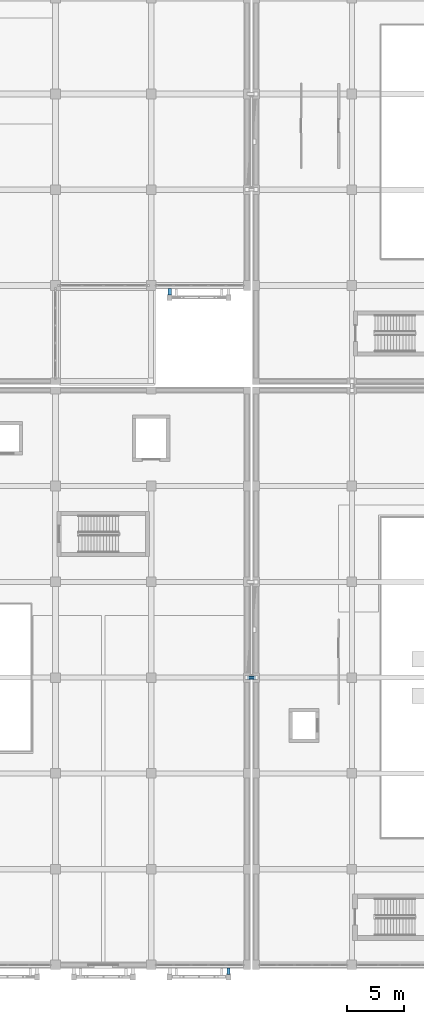
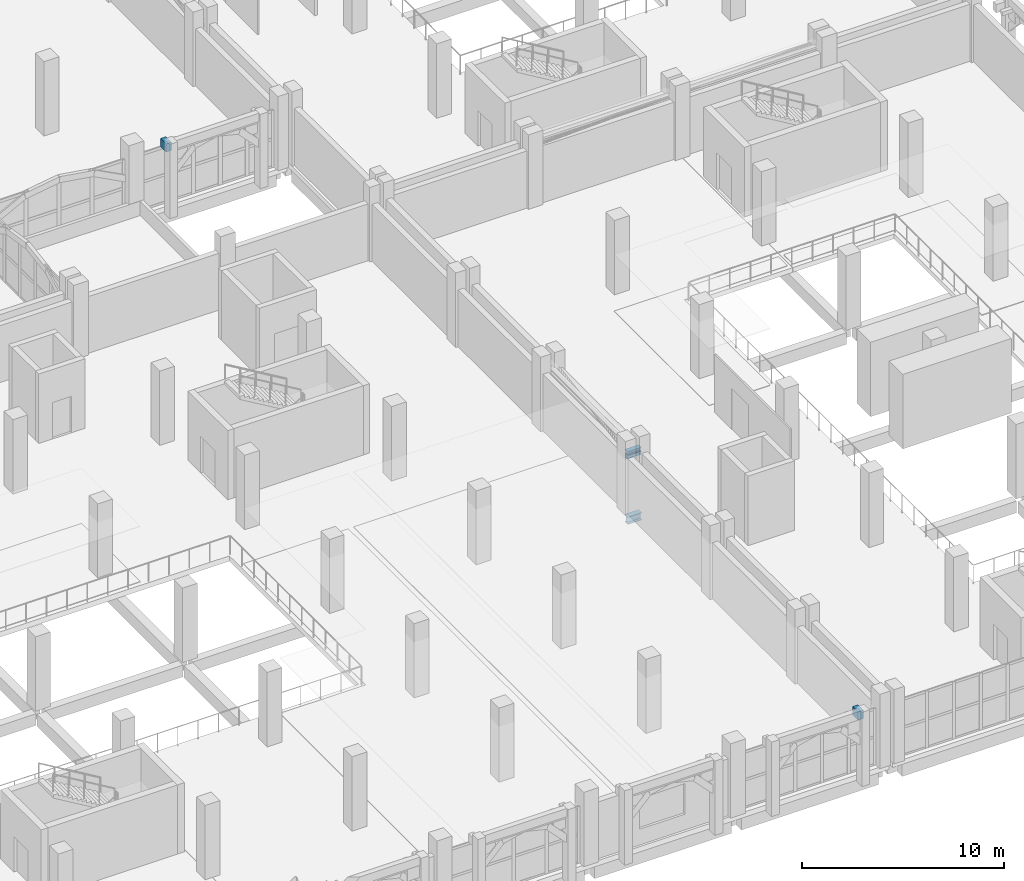
# One storey, part 77 of 137: 4 beams, 1 member.
"""IFC4 building model written with IfcOpenShell, lengths in metres."""

from ifc_helpers import new_model, si_unit, direction, frame, origin, origin_2d, place, context, subcontext, project, spatial, rectangle, hollow_rectangle, i_section, extrude, material, material_profile, profile_set, type_object, element, save


model = new_model("IFC4")

# Units and contexts
model_context = context("Model", 3, precision=1e-05, world=origin(), true_north=direction((0.0, 1.0)))
body_context = subcontext(model_context, "Body", "Model", "MODEL_VIEW")
ifc_project = project(units=[si_unit("LENGTHUNIT", "METRE"), si_unit("AREAUNIT", "SQUARE_METRE"), si_unit("VOLUMEUNIT", "CUBIC_METRE"), si_unit("PLANEANGLEUNIT", "RADIAN"), si_unit("MASSUNIT", "GRAM", prefix="KILO")], contexts=[model_context])

# Site, building, storey
site_placement = place(None, origin())
site = spatial("IfcSite", under=ifc_project, at=site_placement, CompositionType="ELEMENT")
building_placement = place(site_placement, origin())
building = spatial("IfcBuilding", under=site, at=building_placement, Name="Xazarin Passage Department Store", CompositionType="ELEMENT")
storey_placement = place(building_placement, frame((0.0, 0.0, 5.39990234375)))
storey = spatial("IfcBuildingStorey", under=building, at=storey_placement, Name="L01", CompositionType="ELEMENT", Elevation=5.39990234375)

# Beams
ifc_material_1 = material(Name="Steel S355", Category="steel")
ifc_material_profile_1 = material_profile(ifc_material_1, i_section(OverallWidth=0.300048828125, OverallDepth=0.449951171875, WebThickness=0.013916015625, FlangeThickness=0.02587890625, FilletRadius=0.027099609375, at=origin_2d()), Name="HEB 450")
ifc_profile_set_1 = profile_set([ifc_material_profile_1], Name="Steel S355")
beam_type_1 = type_object("IfcBeamType", Name="STR-BM-BR450", PredefinedType="BEAM", material=ifc_profile_set_1)
beam_1_placement = place(storey_placement, frame((67.199951171875, 25.199951171875, -0.56494140625), z_axis=(1.0, 0.0, 0.0), x_axis=(0.0, 1.0, 0.0)))
element("IfcBeam", 1, at=beam_1_placement, inside=storey, type_object=beam_type_1, Name="L01 BR-V2S-V3 Bridge Girder A", PredefinedType="BEAM", context=body_context, shape_type="SweptSolid", body=[
    extrude(i_section(OverallWidth=0.300048828125, OverallDepth=0.449951171875, WebThickness=0.013916015625, FlangeThickness=0.02587890625, FilletRadius=0.027099609375, at=origin_2d()), origin(), (0.0, 0.0, 1.0), 0.800048828125),
])
ifc_material_profile_2 = material_profile(ifc_material_1, i_section(OverallWidth=0.260009765625, OverallDepth=0.25, WebThickness=0.007568359375, FlangeThickness=0.012451171875, FilletRadius=0.02392578125, at=origin_2d()), Name="HEA 260")
ifc_profile_set_2 = profile_set([ifc_material_profile_2], Name="Steel S355")
beam_type_2 = type_object("IfcBeamType", Name="STR-BM-CAN260", PredefinedType="BEAM", material=ifc_profile_set_2)
beam_2_placement = place(storey_placement, frame((67.199951171875, 25.199951171875, 3.47509765625), z_axis=(1.0, 0.0, 0.0), x_axis=(0.0, 1.0, 0.0)))
element("IfcBeam", 2, at=beam_2_placement, inside=storey, type_object=beam_type_2, Name="L01 BR-V2S-V3 Bridge Roof Beam A", PredefinedType="BEAM", context=body_context, shape_type="SweptSolid", body=[
    extrude(i_section(OverallWidth=0.260009765625, OverallDepth=0.25, WebThickness=0.007568359375, FlangeThickness=0.012451171875, FilletRadius=0.02392578125, at=origin_2d()), origin(), (0.0, 0.0, 1.0), 0.800048828125),
])
ifc_material_2 = material(Name="Concrete C35/45", Category="concrete")
ifc_material_profile_3 = material_profile(ifc_material_2, rectangle(XDim=0.300048828125, YDim=0.5, at=origin_2d()), Name="RC 300x500")
ifc_profile_set_3 = profile_set([ifc_material_profile_3], Name="Concrete C35/45")
beam_type_3 = type_object("IfcBeamType", Name="STR-BM-LN300x500", PredefinedType="LINTEL", material=ifc_profile_set_3)
for number, where, z_axis, x_axis, name in (
    (3, (60.419921875, 59.320068359375, 3.9501953125), (0.0, -1.0, 0.0), (1.0, 0.0, 0.0), "L01 V1 Colonnade Tie Rib 006L"),
    (4, (65.580078125, -0.280029296875, 3.9501953125), (0.0, -1.0, 0.0), (1.0, 0.0, 0.0), "L01 V3 Colonnade Tie Rib 033R"),
):
    element("IfcBeam", number, at=place(storey_placement, frame(where, z_axis=z_axis, x_axis=x_axis)), inside=storey, type_object=beam_type_3, Name=name, PredefinedType="LINTEL", context=body_context, shape_type="SweptSolid", body=[
        extrude(rectangle(XDim=0.300048828125, YDim=0.5, at=origin_2d()), origin(), (0.0, 0.0, 1.0), 0.550048828125),
    ])

# Member
ifc_material_profile_4 = material_profile(ifc_material_1, hollow_rectangle(XDim=0.14990234375, YDim=0.25, WallThickness=0.010009765625, at=origin_2d()), Name="RHS 250x150x10")
ifc_profile_set_4 = profile_set([ifc_material_profile_4], Name="Steel S355")
member_type = type_object("IfcMemberType", Name="STR-MEM-CH250", PredefinedType="CHORD", material=ifc_profile_set_4)
member_placement = place(storey_placement, frame((67.199951171875, 25.199951171875, 3.25), z_axis=(1.0, 0.0, 0.0), x_axis=(0.0, 1.0, 0.0)))
element("IfcMember", 5, at=member_placement, inside=storey, type_object=member_type, Name="L01 BR-V2S-V3 Bridge Chord A", PredefinedType="CHORD", context=body_context, shape_type="SweptSolid", body=[
    extrude(hollow_rectangle(XDim=0.14990234375, YDim=0.25, WallThickness=0.010009765625, at=origin_2d()), origin(), (0.0, 0.0, 1.0), 0.800048828125),
])

save(model, "model.ifc")
